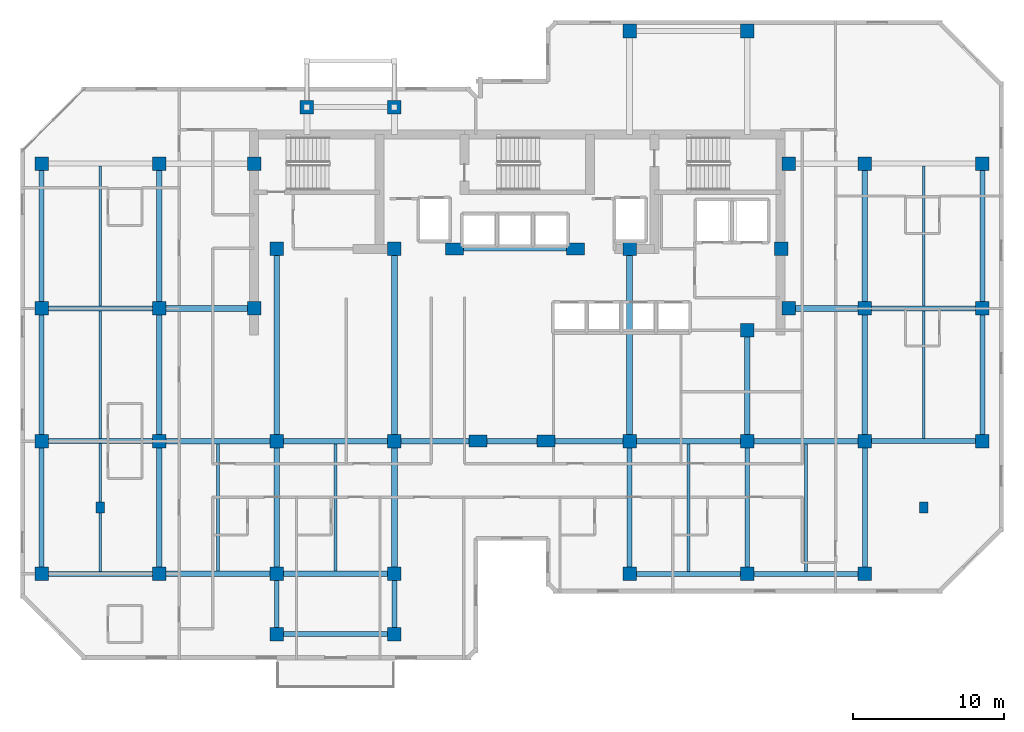
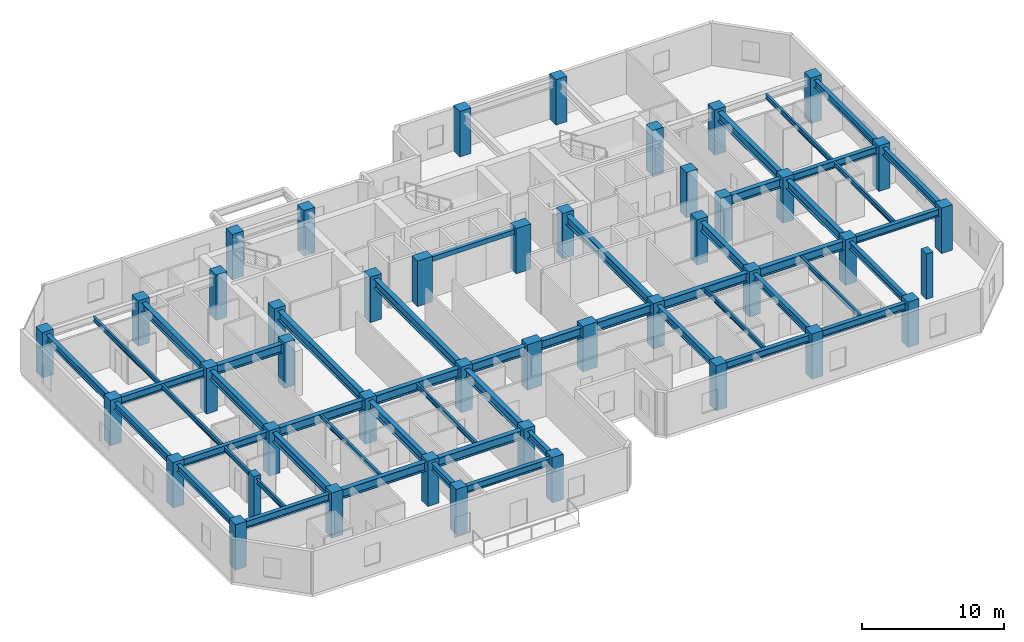
# One storey, part 1 of 11: 50 beams, 44 columns.
"""IFC4 building model written with IfcOpenShell, lengths in metres."""

import ifcopenshell
import ifcopenshell.guid

model = None  # the IFC model being written
_history = None  # IfcOwnerHistory: only IFC2X3 demands one
_inside = {}  # id of a spatial element -> (the spatial element, [elements in it])
_under = {}  # id of a project, library or spatial element -> (it, [spatial elements below it])
_declared = {}  # id of a project -> (the project, [libraries it declares])
_typed = {}  # id of a type object -> (the type object, [elements of that type])
_made_of = {}  # id of a material, layer set ... -> (it, [elements and type objects made of it])


def new_model(schema):
    """Start an empty IFC model of exactly this schema.

    Asked for "IFC4X3", IfcOpenShell would pick the latest addendum, in which some entities
    have other attributes; the version numbers below select the first issue.
    IFC2X3 requires an IfcOwnerHistory on every rooted entity: one is made here for all.
    """
    global model, _history
    if schema == "IFC4X3":
        model = ifcopenshell.file(schema_version=(4, 3, 0, 0))
    else:
        model = ifcopenshell.file(schema=schema)
    _inside.clear()
    _under.clear()
    _declared.clear()
    _typed.clear()
    _made_of.clear()
    _history = None
    if model.schema == "IFC2X3":
        org = make("IfcOrganization", Name="unknown")
        user = make(
            "IfcPersonAndOrganization",
            ThePerson=make("IfcPerson", FamilyName="unknown"),
            TheOrganization=org,
        )
        app = make(
            "IfcApplication",
            ApplicationDeveloper=org,
            Version="unknown",
            ApplicationFullName="unknown",
            ApplicationIdentifier="unknown",
        )
        _history = make(
            "IfcOwnerHistory",
            OwningUser=user,
            OwningApplication=app,
            ChangeAction="ADDED",
            CreationDate=0,
        )
    return model


def make(cls, **values):
    """One entity of the class cls with the attributes given. An attribute that is None is left unset."""
    return model.create_entity(
        cls, **{name: value for name, value in values.items() if value is not None}
    )


def rooted(cls, **values):
    """An entity with a GlobalId (a new one), such as an element, a storey or a relation."""
    return make(cls, GlobalId=ifcopenshell.guid.new(), OwnerHistory=_history, **values)


def si_unit(unit_type, name, prefix=None):
    """IfcSIUnit, for example si_unit("LENGTHUNIT", "METRE", prefix="MILLI")."""
    return make("IfcSIUnit", UnitType=unit_type, Prefix=prefix, Name=name)


def assignment(units):
    """IfcUnitAssignment: the units of a project."""
    return None if units is None else make("IfcUnitAssignment", Units=units)


def point(xyz):
    """IfcCartesianPoint."""
    return None if xyz is None else make("IfcCartesianPoint", Coordinates=xyz)


def direction(xyz):
    """IfcDirection."""
    return None if xyz is None else make("IfcDirection", DirectionRatios=xyz)


def frame(location, z_axis=None, x_axis=None):
    """IfcAxis2Placement3D, a coordinate frame: its origin and axes. An axis left out is left unset."""
    return make(
        "IfcAxis2Placement3D",
        Location=point(location),
        Axis=direction(z_axis),
        RefDirection=direction(x_axis),
    )


def frame_2d(location, x_axis=None):
    """IfcAxis2Placement2D, a coordinate frame in the plane: its origin and x axis."""
    return make(
        "IfcAxis2Placement2D", Location=point(location), RefDirection=direction(x_axis)
    )


def origin():
    """The frame at (0, 0, 0) with its axes left unset."""
    return frame((0.0, 0.0, 0.0))


def origin_2d():
    """The frame at (0, 0) in the plane with its x axis left unset."""
    return frame_2d((0.0, 0.0))


def place(relative_to, where):
    """IfcLocalPlacement: puts the frame where relative to a parent placement (None: the world)."""
    return make(
        "IfcLocalPlacement", PlacementRelTo=relative_to, RelativePlacement=where
    )


def context(
    kind, dimensions, precision=None, world=None, true_north=None, identifier=None
):
    """IfcGeometricRepresentationContext, for example the 3D "Model" context."""
    return make(
        "IfcGeometricRepresentationContext",
        ContextIdentifier=identifier,
        ContextType=kind,
        CoordinateSpaceDimension=dimensions,
        Precision=precision,
        WorldCoordinateSystem=world,
        TrueNorth=true_north,
    )


def subcontext(parent, identifier, kind, view, scale=None):
    """IfcGeometricRepresentationSubContext, for example "Body" below "Model"."""
    return make(
        "IfcGeometricRepresentationSubContext",
        ContextIdentifier=identifier,
        ContextType=kind,
        ParentContext=parent,
        TargetScale=scale,
        TargetView=view,
    )


def project(units=None, contexts=None):
    """IfcProject with its units and contexts."""
    return rooted(
        "IfcProject",
        Name="project",
        RepresentationContexts=contexts,
        UnitsInContext=assignment(units),
    )


def spatial(cls, under=None, at=None, **own):
    """A site, building, storey or space (cls), placed at a placement, below another one or the project."""
    s = rooted(cls, ObjectPlacement=at, **own)
    if under is not None:
        _under.setdefault(under.id(), (under, []))[1].append(s)
    return s


def profile(cls, at=None, kind="AREA", **sizes):
    """A parametric profile (cls). Its sizes go by their IFC names, for example OverallWidth=200.0."""
    return make(cls, ProfileType=kind, Position=at, **sizes)


def rectangle(**sizes):
    """IfcRectangleProfileDef."""
    return profile("IfcRectangleProfileDef", **sizes)


def i_section(**sizes):
    """IfcIShapeProfileDef."""
    return profile("IfcIShapeProfileDef", **sizes)


def extrude(swept, where, along, depth):
    """IfcExtrudedAreaSolid: the profile swept, set in the frame where, extruded along a direction by depth."""
    return make(
        "IfcExtrudedAreaSolid",
        SweptArea=swept,
        Position=where,
        ExtrudedDirection=direction(along),
        Depth=depth,
    )


def shape(context_of_items, identifier, shape_type, items):
    """IfcShapeRepresentation: the items that make up one representation, for example the "Body"."""
    return make(
        "IfcShapeRepresentation",
        ContextOfItems=context_of_items,
        RepresentationIdentifier=identifier,
        RepresentationType=shape_type,
        Items=items,
    )


def material(Name=None, Category=None):
    """IfcMaterial."""
    return make("IfcMaterial", Name=Name, Category=Category)


def material_profile(
    of_material, cross_section, Name=None, Category=None, Priority=None
):
    """IfcMaterialProfile: a cross section and its material."""
    return make(
        "IfcMaterialProfile",
        Name=Name,
        Material=of_material,
        Profile=cross_section,
        Priority=Priority,
        Category=Category,
    )


def profile_set(profiles, Name=None, composite=None):
    """IfcMaterialProfileSet."""
    return make(
        "IfcMaterialProfileSet",
        Name=Name,
        MaterialProfiles=profiles,
        CompositeProfile=composite,
    )


def made_of(thing, what):
    """Note that an element or type object is made of a material, layer set ...; save() writes the relation."""
    if what is not None:
        _made_of.setdefault(what.id(), (what, []))[1].append(thing)
    return thing


def type_object(cls, material=None, **own):
    """A type object (cls), such as IfcWallType, which elements share."""
    return made_of(rooted(cls, **own), material)


def element(
    cls,
    number,
    at=None,
    inside=None,
    cuts=None,
    type_object=None,
    material=None,
    context=None,
    identifier="Body",
    shape_type=None,
    held_by="IfcProductDefinitionShape",
    body=None,
    shapes=None,
    **own,
):
    """One element of the class cls, such as IfcWall. Its Tag is "e" and its number.

    at: its placement. inside: the storey or other place that contains it. cuts: it is an
    opening in that element (IfcRelVoidsElement). A single representation is given by context,
    identifier, shape_type and body (its items); several are given by shapes. held_by: the class
    of the entity that holds the representations. save() writes the other relations.
    """
    e = rooted(cls, Tag="e%d" % number, ObjectPlacement=at, **own)
    if body is not None:
        shapes = [shape(context, identifier, shape_type, body)]
    if shapes is not None:
        e.Representation = make(held_by, Representations=shapes)
    if inside is not None:
        _inside.setdefault(inside.id(), (inside, []))[1].append(e)
    if cuts is not None:
        rooted(
            "IfcRelVoidsElement", RelatingBuildingElement=cuts, RelatedOpeningElement=e
        )
    if type_object is not None:
        _typed.setdefault(type_object.id(), (type_object, []))[1].append(e)
    return made_of(e, material)


def aggregate(whole, parts):
    """IfcRelAggregates: a whole, such as a stair, and the parts it consists of."""
    return rooted("IfcRelAggregates", RelatingObject=whole, RelatedObjects=parts)


def save(model, path):
    """Write the relations noted so far, then the file.

    IfcRelAggregates (storeys below a building ...), IfcRelContainedInSpatialStructure (elements
    in a storey), IfcRelDefinesByType, IfcRelAssociatesMaterial and IfcRelDeclares: one each for
    every whole, place, type object, material and project.
    """
    for whole, parts in _under.values():
        aggregate(whole, parts)
    for where, things in _inside.values():
        rooted(
            "IfcRelContainedInSpatialStructure",
            RelatedElements=things,
            RelatingStructure=where,
        )
    for kind, things in _typed.values():
        rooted("IfcRelDefinesByType", RelatedObjects=things, RelatingType=kind)
    for what, things in _made_of.values():
        rooted("IfcRelAssociatesMaterial", RelatedObjects=things, RelatingMaterial=what)
    for by, libraries in _declared.values():
        rooted("IfcRelDeclares", RelatingContext=by, RelatedDefinitions=libraries)
    model.write(path)


model = new_model("IFC4")

# Units and contexts
model_context = context("Model", 3, precision=1e-05, world=origin(), true_north=direction((0.0, 1.0)))
body_context = subcontext(model_context, "Body", "Model", "MODEL_VIEW")
ifc_project = project(units=[si_unit("LENGTHUNIT", "METRE"), si_unit("AREAUNIT", "SQUARE_METRE"), si_unit("VOLUMEUNIT", "CUBIC_METRE"), si_unit("PLANEANGLEUNIT", "RADIAN"), si_unit("MASSUNIT", "GRAM", prefix="KILO")], contexts=[model_context])

# Site, building, storey
site_placement = place(None, origin())
site = spatial("IfcSite", under=ifc_project, at=site_placement, CompositionType="ELEMENT")
building_placement = place(site_placement, origin())
building = spatial("IfcBuilding", under=site, at=building_placement, Name="Kestravale Grand Hotel", CompositionType="ELEMENT")
storey_placement = place(building_placement, frame((0.0, 0.0, 208.5)))
storey = spatial("IfcBuildingStorey", under=building, at=storey_placement, Name="L52", CompositionType="ELEMENT", Elevation=208.5)

# Columns
ifc_material_1 = material(Name="Concrete f'c 60 MPa", Category="concrete")
ifc_material_profile_1 = material_profile(ifc_material_1, rectangle(XDim=1.199951171875, YDim=0.800048828125, at=origin_2d()))
ifc_profile_set_1 = profile_set([ifc_material_profile_1], Name="Concrete f'c 60 MPa")
column_type_1 = type_object("IfcColumnType", Name="C-Z3-1200X800", PredefinedType="COLUMN", material=ifc_profile_set_1)
for number, where, z_axis, x_axis, name in (
    (1, (36.75, 20.0, 0.0), (0.0, 0.0, 1.0), (1.0, 0.0, 0.0), "L52 column 6-D"),
    (2, (41.25, 20.0, 0.0), (0.0, 0.0, 1.0), (1.0, 0.0, 0.0), "L52 column 7-D"),
    (3, (35.199951171875, 32.75, 0.0), (0.0, 0.0, 1.0), (1.0, 0.0, 0.0), "L52 column 6C-CS"),
    (4, (43.199951171875, 32.75, 0.0), (0.0, 0.0, 1.0), (1.0, 0.0, 0.0), "L52 column 7C-CS"),
):
    element("IfcColumn", number, at=place(storey_placement, frame(where, z_axis=z_axis, x_axis=x_axis)), inside=storey, type_object=column_type_1, Name=name, PredefinedType="COLUMN", context=body_context, shape_type="SweptSolid", body=[
        extrude(rectangle(XDim=1.199951171875, YDim=0.800048828125, at=origin_2d()), origin(), (0.0, 0.0, 1.0), 3.89990234375),
    ])
ifc_material_2 = material(Name="Precast concrete f'c 45 MPa", Category="concrete")
ifc_material_profile_2 = material_profile(ifc_material_2, rectangle(XDim=0.550048828125, YDim=0.75, at=origin_2d()))
ifc_profile_set_2 = profile_set([ifc_material_profile_2], Name="Precast concrete f'c 45 MPa")
column_type_2 = type_object("IfcColumnType", Name="C-Z3-PIL750", PredefinedType="PILASTER", material=ifc_profile_set_2)
for number, where, z_axis, x_axis, name in (
    (5, (11.699951171875, 15.60009765625, 0.0), (0.0, 0.0, 1.0), (1.0, 0.0, 0.0), "L52 Art Deco fluted pilaster P1"),
    (6, (66.300048828125, 15.60009765625, 0.0), (0.0, 0.0, 1.0), (1.0, 0.0, 0.0), "L52 Art Deco fluted pilaster P2"),
):
    element("IfcColumn", number, at=place(storey_placement, frame(where, z_axis=z_axis, x_axis=x_axis)), inside=storey, type_object=column_type_2, Name=name, PredefinedType="PILASTER", context=body_context, shape_type="SweptSolid", body=[
        extrude(rectangle(XDim=0.550048828125, YDim=0.75, at=origin_2d()), origin(), (0.0, 0.0, 1.0), 3.89990234375),
    ])
ifc_material_3 = material(Name="Concrete f'c 50 MPa", Category="concrete")
ifc_material_profile_3 = material_profile(ifc_material_3, rectangle(XDim=0.89990234375, YDim=0.89990234375, at=origin_2d()))
ifc_profile_set_3 = profile_set([ifc_material_profile_3], Name="Concrete f'c 50 MPa")
column_type_3 = type_object("IfcColumnType", Name="C-Z4-900", PredefinedType="COLUMN", material=ifc_profile_set_3)
for number, where, z_axis, x_axis, name in (
    (7, (7.800048828125, 11.199951171875, 0.0), (0.0, 0.0, 1.0), (1.0, 0.0, 0.0), "L52 column 2-C"),
    (8, (7.800048828125, 20.0, 0.0), (0.0, 0.0, 1.0), (1.0, 0.0, 0.0), "L52 column 2-D"),
    (9, (7.800048828125, 28.800048828125, 0.0), (0.0, 0.0, 1.0), (1.0, 0.0, 0.0), "L52 column 2-E"),
    (10, (7.800048828125, 38.39990234375, 0.0), (0.0, 0.0, 1.0), (1.0, 0.0, 0.0), "L52 column 2-F"),
    (11, (15.60009765625, 11.199951171875, 0.0), (0.0, 0.0, 1.0), (1.0, 0.0, 0.0), "L52 column 3-C"),
    (12, (15.60009765625, 20.0, 0.0), (0.0, 0.0, 1.0), (1.0, 0.0, 0.0), "L52 column 3-D"),
    (13, (15.60009765625, 28.800048828125, 0.0), (0.0, 0.0, 1.0), (1.0, 0.0, 0.0), "L52 column 3-E"),
    (14, (15.60009765625, 38.39990234375, 0.0), (0.0, 0.0, 1.0), (1.0, 0.0, 0.0), "L52 column 3-F"),
    (15, (23.39990234375, 11.199951171875, 0.0), (0.0, 0.0, 1.0), (1.0, 0.0, 0.0), "L52 column 4-C"),
    (16, (23.39990234375, 20.0, 0.0), (0.0, 0.0, 1.0), (1.0, 0.0, 0.0), "L52 column 4-D"),
    (17, (31.199951171875, 11.199951171875, 0.0), (0.0, 0.0, 1.0), (1.0, 0.0, 0.0), "L52 column 5-C"),
    (18, (31.199951171875, 20.0, 0.0), (0.0, 0.0, 1.0), (1.0, 0.0, 0.0), "L52 column 5-D"),
    (19, (46.800048828125, 11.199951171875, 0.0), (0.0, 0.0, 1.0), (1.0, 0.0, 0.0), "L52 column 8-C"),
    (20, (46.800048828125, 20.0, 0.0), (0.0, 0.0, 1.0), (1.0, 0.0, 0.0), "L52 column 8-D"),
    (21, (46.800048828125, 47.199951171875, 0.0), (0.0, 0.0, 1.0), (1.0, 0.0, 0.0), "L52 column 8-G"),
    (22, (54.60009765625, 11.199951171875, 0.0), (0.0, 0.0, 1.0), (1.0, 0.0, 0.0), "L52 column 9-C"),
    (23, (54.60009765625, 20.0, 0.0), (0.0, 0.0, 1.0), (1.0, 0.0, 0.0), "L52 column 9-D"),
    (24, (54.60009765625, 47.199951171875, 0.0), (0.0, 0.0, 1.0), (1.0, 0.0, 0.0), "L52 column 9-G"),
    (25, (62.39990234375, 11.199951171875, 0.0), (0.0, 0.0, 1.0), (1.0, 0.0, 0.0), "L52 column 10-C"),
    (26, (62.39990234375, 20.0, 0.0), (0.0, 0.0, 1.0), (1.0, 0.0, 0.0), "L52 column 10-D"),
    (27, (62.39990234375, 28.800048828125, 0.0), (0.0, 0.0, 1.0), (1.0, 0.0, 0.0), "L52 column 10-E"),
    (28, (62.39990234375, 38.39990234375, 0.0), (0.0, 0.0, 1.0), (1.0, 0.0, 0.0), "L52 column 10-F"),
    (29, (70.199951171875, 20.0, 0.0), (0.0, 0.0, 1.0), (1.0, 0.0, 0.0), "L52 column 11-D"),
    (30, (70.199951171875, 28.800048828125, 0.0), (0.0, 0.0, 1.0), (1.0, 0.0, 0.0), "L52 column 11-E"),
    (31, (70.199951171875, 38.39990234375, 0.0), (0.0, 0.0, 1.0), (1.0, 0.0, 0.0), "L52 column 11-F"),
    (32, (21.89990234375, 28.800048828125, 0.0), (0.0, 0.0, 1.0), (1.0, 0.0, 0.0), "L52 column CW-E"),
    (33, (21.89990234375, 38.39990234375, 0.0), (0.0, 0.0, 1.0), (1.0, 0.0, 0.0), "L52 column CW-F"),
    (34, (57.35009765625, 28.800048828125, 0.0), (0.0, 0.0, 1.0), (1.0, 0.0, 0.0), "L52 column CE-E"),
    (35, (57.35009765625, 38.39990234375, 0.0), (0.0, 0.0, 1.0), (1.0, 0.0, 0.0), "L52 column CE-F"),
    (36, (23.39990234375, 32.75, 0.0), (0.0, 0.0, 1.0), (1.0, 0.0, 0.0), "L52 column 4-CS"),
    (37, (31.199951171875, 32.75, 0.0), (0.0, 0.0, 1.0), (1.0, 0.0, 0.0), "L52 column 5-CS"),
    (38, (46.800048828125, 32.75, 0.0), (0.0, 0.0, 1.0), (1.0, 0.0, 0.0), "L52 column 8-CS"),
    (39, (54.60009765625, 27.35009765625, 0.0), (0.0, 0.0, 1.0), (1.0, 0.0, 0.0), "L52 column 9-CS"),
    (40, (56.85009765625, 32.75, 0.0), (0.0, 0.0, 1.0), (1.0, 0.0, 0.0), "L52 column 9C-CS"),
    (41, (23.39990234375, 7.199951171875, 0.0), (0.0, 0.0, 1.0), (1.0, 0.0, 0.0), "L52 column 4-BS"),
    (42, (31.199951171875, 7.199951171875, 0.0), (0.0, 0.0, 1.0), (1.0, 0.0, 0.0), "L52 column 5-BS"),
    (43, (25.39990234375, 42.14990234375, 0.0), (0.0, 0.0, 1.0), (1.0, 0.0, 0.0), "L52 column 4-FN"),
    (44, (31.199951171875, 42.14990234375, 0.0), (0.0, 0.0, 1.0), (1.0, 0.0, 0.0), "L52 column 5-FN"),
):
    element("IfcColumn", number, at=place(storey_placement, frame(where, z_axis=z_axis, x_axis=x_axis)), inside=storey, type_object=column_type_3, Name=name, PredefinedType="COLUMN", context=body_context, shape_type="SweptSolid", body=[
        extrude(rectangle(XDim=0.89990234375, YDim=0.89990234375, at=origin_2d()), origin(), (0.0, 0.0, 1.0), 3.89990234375),
    ])

# Beams
ifc_material_4 = material(Name="Steel ASTM A992 Grade 50", Category="steel")
ifc_material_profile_4 = material_profile(ifc_material_4, i_section(OverallWidth=0.177978515625, OverallDepth=0.404052734375, WebThickness=0.007568359375, FlangeThickness=0.010986328125, FilletRadius=0.01416015625, at=origin_2d()))
ifc_profile_set_4 = profile_set([ifc_material_profile_4], Name="Steel ASTM A992 Grade 50")
beam_type_1 = type_object("IfcBeamType", Name="B-FLR-JST16", PredefinedType="JOIST", material=ifc_profile_set_4)
for number, where, z_axis, x_axis, name in (
    (45, (11.699951171875, 11.362548828125, 3.447998046875), (0.0, 1.0, 0.0), (-1.0, 0.0, 0.0), "L52 floor joist 2-3/C-D #1"),
    (46, (11.699951171875, 20.16259765625, 3.447998046875), (0.0, 1.0, 0.0), (-1.0, 0.0, 0.0), "L52 floor joist 2-3/D-E #1"),
):
    element("IfcBeam", number, at=place(storey_placement, frame(where, z_axis=z_axis, x_axis=x_axis)), inside=storey, type_object=beam_type_1, Name=name, PredefinedType="JOIST", context=body_context, shape_type="SweptSolid", body=[
        extrude(i_section(OverallWidth=0.177978515625, OverallDepth=0.404052734375, WebThickness=0.007568359375, FlangeThickness=0.010986328125, FilletRadius=0.01416015625, at=origin_2d()), origin(), (0.0, 0.0, 1.0), 8.474853515625),
    ])
beam_1_placement = place(storey_placement, frame((11.699951171875, 28.96240234375, 3.447998046875), z_axis=(0.0, 1.0, 0.0), x_axis=(-1.0, 0.0, 0.0)))
element("IfcBeam", 47, at=beam_1_placement, inside=storey, type_object=beam_type_1, Name="L52 floor joist 2-3/E-F #1", PredefinedType="JOIST", context=body_context, shape_type="SweptSolid", body=[
    extrude(i_section(OverallWidth=0.177978515625, OverallDepth=0.404052734375, WebThickness=0.007568359375, FlangeThickness=0.010986328125, FilletRadius=0.01416015625, at=origin_2d()), origin(), (0.0, 0.0, 1.0), 9.275146484375),
])
for number, where, z_axis, x_axis, name in (
    (48, (19.5, 11.390380859375, 3.447998046875), (0.0, 1.0, 0.0), (-1.0, 0.0, 0.0), "L52 floor joist 3-4/C-D #1"),
    (49, (27.300048828125, 11.390380859375, 3.447998046875), (0.0, 1.0, 0.0), (-1.0, 0.0, 0.0), "L52 floor joist 4-5/C-D #1"),
):
    element("IfcBeam", number, at=place(storey_placement, frame(where, z_axis=z_axis, x_axis=x_axis)), inside=storey, type_object=beam_type_1, Name=name, PredefinedType="JOIST", context=body_context, shape_type="SweptSolid", body=[
        extrude(i_section(OverallWidth=0.177978515625, OverallDepth=0.404052734375, WebThickness=0.007568359375, FlangeThickness=0.010986328125, FilletRadius=0.01416015625, at=origin_2d()), origin(), (0.0, 0.0, 1.0), 8.419189453125),
    ])
for number, where, z_axis, x_axis, name in (
    (50, (50.699951171875, 11.362548828125, 3.447998046875), (0.0, 1.0, 0.0), (-1.0, 0.0, 0.0), "L52 floor joist 8-9/C-D #1"),
    (51, (58.5, 11.362548828125, 3.447998046875), (0.0, 1.0, 0.0), (-1.0, 0.0, 0.0), "L52 floor joist 9-10/C-D #1"),
):
    element("IfcBeam", number, at=place(storey_placement, frame(where, z_axis=z_axis, x_axis=x_axis)), inside=storey, type_object=beam_type_1, Name=name, PredefinedType="JOIST", context=body_context, shape_type="SweptSolid", body=[
        extrude(i_section(OverallWidth=0.177978515625, OverallDepth=0.404052734375, WebThickness=0.007568359375, FlangeThickness=0.010986328125, FilletRadius=0.01416015625, at=origin_2d()), origin(), (0.0, 0.0, 1.0), 8.447021484375),
    ])
beam_2_placement = place(storey_placement, frame((66.300048828125, 20.16259765625, 3.447998046875), z_axis=(0.0, 1.0, 0.0), x_axis=(-1.0, 0.0, 0.0)))
element("IfcBeam", 52, at=beam_2_placement, inside=storey, type_object=beam_type_1, Name="L52 floor joist 10-11/D-E #1", PredefinedType="JOIST", context=body_context, shape_type="SweptSolid", body=[
    extrude(i_section(OverallWidth=0.177978515625, OverallDepth=0.404052734375, WebThickness=0.007568359375, FlangeThickness=0.010986328125, FilletRadius=0.01416015625, at=origin_2d()), origin(), (0.0, 0.0, 1.0), 8.474853515625),
])
beam_3_placement = place(storey_placement, frame((66.300048828125, 28.96240234375, 3.447998046875), z_axis=(0.0, 1.0, 0.0), x_axis=(-1.0, 0.0, 0.0)))
element("IfcBeam", 53, at=beam_3_placement, inside=storey, type_object=beam_type_1, Name="L52 floor joist 10-11/E-F #1", PredefinedType="JOIST", context=body_context, shape_type="SweptSolid", body=[
    extrude(i_section(OverallWidth=0.177978515625, OverallDepth=0.404052734375, WebThickness=0.007568359375, FlangeThickness=0.010986328125, FilletRadius=0.01416015625, at=origin_2d()), origin(), (0.0, 0.0, 1.0), 9.275146484375),
])
ifc_material_5 = material(Name="Concrete f'c 45 MPa", Category="concrete")
ifc_material_profile_5 = material_profile(ifc_material_5, rectangle(XDim=0.300048828125, YDim=0.39990234375, at=origin_2d()))
ifc_profile_set_5 = profile_set([ifc_material_profile_5], Name="Concrete f'c 45 MPa")
beam_type_2 = type_object("IfcBeamType", Name="B-FLR-LNT400", PredefinedType="LINTEL", material=ifc_profile_set_5)
beam_4_placement = place(storey_placement, frame((35.199951171875, 32.75, 3.449951171875), z_axis=(1.0, 0.0, 0.0), x_axis=(0.0, 1.0, 0.0)))
element("IfcBeam", 54, at=beam_4_placement, inside=storey, type_object=beam_type_2, Name="L52 core portal header lintel", PredefinedType="LINTEL", context=body_context, shape_type="SweptSolid", body=[
    extrude(rectangle(XDim=0.300048828125, YDim=0.39990234375, at=origin_2d()), origin(), (0.0, 0.0, 1.0), 8.0),
])
ifc_material_6 = material(Name="Steel ASTM A992 Grade 50", Category="steel")
ifc_material_profile_6 = material_profile(ifc_material_6, i_section(OverallWidth=0.324951171875, OverallDepth=0.612060546875, WebThickness=0.0126953125, FlangeThickness=0.01904296875, FilletRadius=0.018798828125, at=origin_2d()))
ifc_profile_set_6 = profile_set([ifc_material_profile_6], Name="Steel ASTM A992 Grade 50")
beam_type_3 = type_object("IfcBeamType", Name="B-FLR-W24A", PredefinedType="SPANDREL", material=ifc_profile_set_6)
for number, where, z_axis, x_axis, name in (
    (55, (7.800048828125, 11.199951171875, 3.343994140625), (1.0, 0.0, 0.0), (0.0, 1.0, 0.0), "L52 spandrel C:2-3"),
    (56, (46.800048828125, 11.199951171875, 3.343994140625), (1.0, 0.0, 0.0), (0.0, 1.0, 0.0), "L52 spandrel C:8-9"),
):
    element("IfcBeam", number, at=place(storey_placement, frame(where, z_axis=z_axis, x_axis=x_axis)), inside=storey, type_object=beam_type_3, Name=name, PredefinedType="SPANDREL", context=body_context, shape_type="SweptSolid", body=[
        extrude(i_section(OverallWidth=0.324951171875, OverallDepth=0.612060546875, WebThickness=0.0126953125, FlangeThickness=0.01904296875, FilletRadius=0.018798828125, at=origin_2d()), origin(), (0.0, 0.0, 1.0), 7.800048828125),
    ])
beam_5_placement = place(storey_placement, frame((54.60009765625, 11.199951171875, 3.343994140625), z_axis=(1.0, 0.0, 0.0), x_axis=(0.0, 1.0, 0.0)))
element("IfcBeam", 57, at=beam_5_placement, inside=storey, type_object=beam_type_3, Name="L52 spandrel C:9-10", PredefinedType="SPANDREL", context=body_context, shape_type="SweptSolid", body=[
    extrude(i_section(OverallWidth=0.324951171875, OverallDepth=0.612060546875, WebThickness=0.0126953125, FlangeThickness=0.01904296875, FilletRadius=0.018798828125, at=origin_2d()), origin(), (0.0, 0.0, 1.0), 7.7998046875),
])
for number, where, z_axis, x_axis, name in (
    (58, (7.800048828125, 20.0, 3.343994140625), (1.0, 0.0, 0.0), (0.0, 1.0, 0.0), "L52 spandrel D:2-3"),
    (59, (62.39990234375, 20.0, 3.343994140625), (1.0, 0.0, 0.0), (0.0, 1.0, 0.0), "L52 spandrel D:10-11"),
    (60, (7.800048828125, 28.800048828125, 3.343994140625), (1.0, 0.0, 0.0), (0.0, 1.0, 0.0), "L52 spandrel E:2-3"),
    (61, (62.39990234375, 28.800048828125, 3.343994140625), (1.0, 0.0, 0.0), (0.0, 1.0, 0.0), "L52 spandrel E:10-11"),
    (62, (23.39990234375, 7.199951171875, 3.343994140625), (1.0, 0.0, 0.0), (0.0, 1.0, 0.0), "L52 perimeter tie spandrel BS:4-5"),
):
    element("IfcBeam", number, at=place(storey_placement, frame(where, z_axis=z_axis, x_axis=x_axis)), inside=storey, type_object=beam_type_3, Name=name, PredefinedType="SPANDREL", context=body_context, shape_type="SweptSolid", body=[
        extrude(i_section(OverallWidth=0.324951171875, OverallDepth=0.612060546875, WebThickness=0.0126953125, FlangeThickness=0.01904296875, FilletRadius=0.018798828125, at=origin_2d()), origin(), (0.0, 0.0, 1.0), 7.800048828125),
    ])
for number, where, z_axis, x_axis, name in (
    (63, (7.800048828125, 11.199951171875, 3.343994140625), (0.0, 1.0, 0.0), (-1.0, 0.0, 0.0), "L52 spandrel 2:C-D"),
    (64, (7.800048828125, 20.0, 3.343994140625), (0.0, 1.0, 0.0), (-1.0, 0.0, 0.0), "L52 spandrel 2:D-E"),
):
    element("IfcBeam", number, at=place(storey_placement, frame(where, z_axis=z_axis, x_axis=x_axis)), inside=storey, type_object=beam_type_3, Name=name, PredefinedType="SPANDREL", context=body_context, shape_type="SweptSolid", body=[
        extrude(i_section(OverallWidth=0.324951171875, OverallDepth=0.612060546875, WebThickness=0.0126953125, FlangeThickness=0.01904296875, FilletRadius=0.018798828125, at=origin_2d()), origin(), (0.0, 0.0, 1.0), 8.800048828125),
    ])
beam_6_placement = place(storey_placement, frame((7.800048828125, 28.800048828125, 3.343994140625), z_axis=(0.0, 1.0, 0.0), x_axis=(-1.0, 0.0, 0.0)))
element("IfcBeam", 65, at=beam_6_placement, inside=storey, type_object=beam_type_3, Name="L52 spandrel 2:E-F", PredefinedType="SPANDREL", context=body_context, shape_type="SweptSolid", body=[
    extrude(i_section(OverallWidth=0.324951171875, OverallDepth=0.612060546875, WebThickness=0.0126953125, FlangeThickness=0.01904296875, FilletRadius=0.018798828125, at=origin_2d()), origin(), (0.0, 0.0, 1.0), 9.599853515625),
])
for number, where, z_axis, x_axis, name in (
    (66, (23.39990234375, 7.199951171875, 3.343994140625), (0.0, 1.0, 0.0), (-1.0, 0.0, 0.0), "L52 spandrel 4:BS-C"),
    (67, (31.199951171875, 7.199951171875, 3.343994140625), (0.0, 1.0, 0.0), (-1.0, 0.0, 0.0), "L52 spandrel 5:BS-C"),
):
    element("IfcBeam", number, at=place(storey_placement, frame(where, z_axis=z_axis, x_axis=x_axis)), inside=storey, type_object=beam_type_3, Name=name, PredefinedType="SPANDREL", context=body_context, shape_type="SweptSolid", body=[
        extrude(i_section(OverallWidth=0.324951171875, OverallDepth=0.612060546875, WebThickness=0.0126953125, FlangeThickness=0.01904296875, FilletRadius=0.018798828125, at=origin_2d()), origin(), (0.0, 0.0, 1.0), 4.0),
    ])
for number, where, z_axis, x_axis, name in (
    (68, (46.800048828125, 11.199951171875, 3.343994140625), (0.0, 1.0, 0.0), (-1.0, 0.0, 0.0), "L52 spandrel 8:C-D"),
    (69, (54.60009765625, 11.199951171875, 3.343994140625), (0.0, 1.0, 0.0), (-1.0, 0.0, 0.0), "L52 spandrel 9:C-D"),
    (70, (62.39990234375, 11.199951171875, 3.343994140625), (0.0, 1.0, 0.0), (-1.0, 0.0, 0.0), "L52 spandrel 10:C-D"),
    (71, (70.199951171875, 20.0, 3.343994140625), (0.0, 1.0, 0.0), (-1.0, 0.0, 0.0), "L52 spandrel 11:D-E"),
):
    element("IfcBeam", number, at=place(storey_placement, frame(where, z_axis=z_axis, x_axis=x_axis)), inside=storey, type_object=beam_type_3, Name=name, PredefinedType="SPANDREL", context=body_context, shape_type="SweptSolid", body=[
        extrude(i_section(OverallWidth=0.324951171875, OverallDepth=0.612060546875, WebThickness=0.0126953125, FlangeThickness=0.01904296875, FilletRadius=0.018798828125, at=origin_2d()), origin(), (0.0, 0.0, 1.0), 8.800048828125),
    ])
beam_7_placement = place(storey_placement, frame((70.199951171875, 28.800048828125, 3.343994140625), z_axis=(0.0, 1.0, 0.0), x_axis=(-1.0, 0.0, 0.0)))
element("IfcBeam", 72, at=beam_7_placement, inside=storey, type_object=beam_type_3, Name="L52 spandrel 11:E-F", PredefinedType="SPANDREL", context=body_context, shape_type="SweptSolid", body=[
    extrude(i_section(OverallWidth=0.324951171875, OverallDepth=0.612060546875, WebThickness=0.0126953125, FlangeThickness=0.01904296875, FilletRadius=0.018798828125, at=origin_2d()), origin(), (0.0, 0.0, 1.0), 9.599853515625),
])
ifc_material_7 = material(Name="Steel ASTM A992 Grade 50", Category="steel")
ifc_material_profile_7 = material_profile(ifc_material_7, i_section(OverallWidth=0.381103515625, OverallDepth=0.77197265625, WebThickness=0.0166015625, FlangeThickness=0.027099609375, FilletRadius=0.023681640625, at=origin_2d()))
ifc_profile_set_7 = profile_set([ifc_material_profile_7], Name="Steel ASTM A992 Grade 50")
beam_type_4 = type_object("IfcBeamType", Name="B-GRD-W30", PredefinedType="BEAM", material=ifc_profile_set_7)
beam_8_placement = place(storey_placement, frame((15.60009765625, 11.199951171875, 3.263916015625), z_axis=(1.0, 0.0, 0.0), x_axis=(0.0, 1.0, 0.0)))
element("IfcBeam", 73, at=beam_8_placement, inside=storey, type_object=beam_type_4, Name="L52 girder C:3-4", PredefinedType="BEAM", context=body_context, shape_type="SweptSolid", body=[
    extrude(i_section(OverallWidth=0.381103515625, OverallDepth=0.77197265625, WebThickness=0.0166015625, FlangeThickness=0.027099609375, FilletRadius=0.023681640625, at=origin_2d()), origin(), (0.0, 0.0, 1.0), 7.7998046875),
])
beam_9_placement = place(storey_placement, frame((23.39990234375, 11.199951171875, 3.263916015625), z_axis=(1.0, 0.0, 0.0), x_axis=(0.0, 1.0, 0.0)))
element("IfcBeam", 74, at=beam_9_placement, inside=storey, type_object=beam_type_4, Name="L52 girder C:4-5", PredefinedType="BEAM", context=body_context, shape_type="SweptSolid", body=[
    extrude(i_section(OverallWidth=0.381103515625, OverallDepth=0.77197265625, WebThickness=0.0166015625, FlangeThickness=0.027099609375, FilletRadius=0.023681640625, at=origin_2d()), origin(), (0.0, 0.0, 1.0), 7.800048828125),
])
beam_10_placement = place(storey_placement, frame((15.60009765625, 20.0, 3.263916015625), z_axis=(1.0, 0.0, 0.0), x_axis=(0.0, 1.0, 0.0)))
element("IfcBeam", 75, at=beam_10_placement, inside=storey, type_object=beam_type_4, Name="L52 girder D:3-4", PredefinedType="BEAM", context=body_context, shape_type="SweptSolid", body=[
    extrude(i_section(OverallWidth=0.381103515625, OverallDepth=0.77197265625, WebThickness=0.0166015625, FlangeThickness=0.027099609375, FilletRadius=0.023681640625, at=origin_2d()), origin(), (0.0, 0.0, 1.0), 7.7998046875),
])
beam_11_placement = place(storey_placement, frame((23.39990234375, 20.0, 3.263916015625), z_axis=(1.0, 0.0, 0.0), x_axis=(0.0, 1.0, 0.0)))
element("IfcBeam", 76, at=beam_11_placement, inside=storey, type_object=beam_type_4, Name="L52 girder D:4-5", PredefinedType="BEAM", context=body_context, shape_type="SweptSolid", body=[
    extrude(i_section(OverallWidth=0.381103515625, OverallDepth=0.77197265625, WebThickness=0.0166015625, FlangeThickness=0.027099609375, FilletRadius=0.023681640625, at=origin_2d()), origin(), (0.0, 0.0, 1.0), 7.800048828125),
])
beam_12_placement = place(storey_placement, frame((31.199951171875, 20.0, 3.263916015625), z_axis=(1.0, 0.0, 0.0), x_axis=(0.0, 1.0, 0.0)))
element("IfcBeam", 77, at=beam_12_placement, inside=storey, type_object=beam_type_4, Name="L52 girder D:5-6", PredefinedType="BEAM", context=body_context, shape_type="SweptSolid", body=[
    extrude(i_section(OverallWidth=0.381103515625, OverallDepth=0.77197265625, WebThickness=0.0166015625, FlangeThickness=0.027099609375, FilletRadius=0.023681640625, at=origin_2d()), origin(), (0.0, 0.0, 1.0), 5.550048828125),
])
beam_13_placement = place(storey_placement, frame((36.75, 20.0, 3.263916015625), z_axis=(1.0, 0.0, 0.0), x_axis=(0.0, 1.0, 0.0)))
element("IfcBeam", 78, at=beam_13_placement, inside=storey, type_object=beam_type_4, Name="L52 girder D:6-7", PredefinedType="BEAM", context=body_context, shape_type="SweptSolid", body=[
    extrude(i_section(OverallWidth=0.381103515625, OverallDepth=0.77197265625, WebThickness=0.0166015625, FlangeThickness=0.027099609375, FilletRadius=0.023681640625, at=origin_2d()), origin(), (0.0, 0.0, 1.0), 4.5),
])
beam_14_placement = place(storey_placement, frame((41.25, 20.0, 3.263916015625), z_axis=(1.0, 0.0, 0.0), x_axis=(0.0, 1.0, 0.0)))
element("IfcBeam", 79, at=beam_14_placement, inside=storey, type_object=beam_type_4, Name="L52 girder D:7-8", PredefinedType="BEAM", context=body_context, shape_type="SweptSolid", body=[
    extrude(i_section(OverallWidth=0.381103515625, OverallDepth=0.77197265625, WebThickness=0.0166015625, FlangeThickness=0.027099609375, FilletRadius=0.023681640625, at=origin_2d()), origin(), (0.0, 0.0, 1.0), 5.550048828125),
])
beam_15_placement = place(storey_placement, frame((46.800048828125, 20.0, 3.263916015625), z_axis=(1.0, 0.0, 0.0), x_axis=(0.0, 1.0, 0.0)))
element("IfcBeam", 80, at=beam_15_placement, inside=storey, type_object=beam_type_4, Name="L52 girder D:8-9", PredefinedType="BEAM", context=body_context, shape_type="SweptSolid", body=[
    extrude(i_section(OverallWidth=0.381103515625, OverallDepth=0.77197265625, WebThickness=0.0166015625, FlangeThickness=0.027099609375, FilletRadius=0.023681640625, at=origin_2d()), origin(), (0.0, 0.0, 1.0), 7.800048828125),
])
beam_16_placement = place(storey_placement, frame((54.60009765625, 20.0, 3.263916015625), z_axis=(1.0, 0.0, 0.0), x_axis=(0.0, 1.0, 0.0)))
element("IfcBeam", 81, at=beam_16_placement, inside=storey, type_object=beam_type_4, Name="L52 girder D:9-10", PredefinedType="BEAM", context=body_context, shape_type="SweptSolid", body=[
    extrude(i_section(OverallWidth=0.381103515625, OverallDepth=0.77197265625, WebThickness=0.0166015625, FlangeThickness=0.027099609375, FilletRadius=0.023681640625, at=origin_2d()), origin(), (0.0, 0.0, 1.0), 7.7998046875),
])
beam_17_placement = place(storey_placement, frame((15.60009765625, 28.800048828125, 3.263916015625), z_axis=(1.0, 0.0, 0.0), x_axis=(0.0, 1.0, 0.0)))
element("IfcBeam", 82, at=beam_17_placement, inside=storey, type_object=beam_type_4, Name="L52 girder E:3-CW", PredefinedType="BEAM", context=body_context, shape_type="SweptSolid", body=[
    extrude(i_section(OverallWidth=0.381103515625, OverallDepth=0.77197265625, WebThickness=0.0166015625, FlangeThickness=0.027099609375, FilletRadius=0.023681640625, at=origin_2d()), origin(), (0.0, 0.0, 1.0), 6.2998046875),
])
beam_18_placement = place(storey_placement, frame((57.35009765625, 28.800048828125, 3.263916015625), z_axis=(1.0, 0.0, 0.0), x_axis=(0.0, 1.0, 0.0)))
element("IfcBeam", 83, at=beam_18_placement, inside=storey, type_object=beam_type_4, Name="L52 girder E:CE-10", PredefinedType="BEAM", context=body_context, shape_type="SweptSolid", body=[
    extrude(i_section(OverallWidth=0.381103515625, OverallDepth=0.77197265625, WebThickness=0.0166015625, FlangeThickness=0.027099609375, FilletRadius=0.023681640625, at=origin_2d()), origin(), (0.0, 0.0, 1.0), 5.0498046875),
])
for number, where, z_axis, x_axis, name in (
    (84, (15.60009765625, 11.199951171875, 3.263916015625), (0.0, 1.0, 0.0), (-1.0, 0.0, 0.0), "L52 girder 3:C-D"),
    (85, (15.60009765625, 20.0, 3.263916015625), (0.0, 1.0, 0.0), (-1.0, 0.0, 0.0), "L52 girder 3:D-E"),
):
    element("IfcBeam", number, at=place(storey_placement, frame(where, z_axis=z_axis, x_axis=x_axis)), inside=storey, type_object=beam_type_4, Name=name, PredefinedType="BEAM", context=body_context, shape_type="SweptSolid", body=[
        extrude(i_section(OverallWidth=0.381103515625, OverallDepth=0.77197265625, WebThickness=0.0166015625, FlangeThickness=0.027099609375, FilletRadius=0.023681640625, at=origin_2d()), origin(), (0.0, 0.0, 1.0), 8.800048828125),
    ])
beam_19_placement = place(storey_placement, frame((15.60009765625, 28.800048828125, 3.263916015625), z_axis=(0.0, 1.0, 0.0), x_axis=(-1.0, 0.0, 0.0)))
element("IfcBeam", 86, at=beam_19_placement, inside=storey, type_object=beam_type_4, Name="L52 girder 3:E-F", PredefinedType="BEAM", context=body_context, shape_type="SweptSolid", body=[
    extrude(i_section(OverallWidth=0.381103515625, OverallDepth=0.77197265625, WebThickness=0.0166015625, FlangeThickness=0.027099609375, FilletRadius=0.023681640625, at=origin_2d()), origin(), (0.0, 0.0, 1.0), 9.599853515625),
])
beam_20_placement = place(storey_placement, frame((23.39990234375, 11.199951171875, 3.263916015625), z_axis=(0.0, 1.0, 0.0), x_axis=(-1.0, 0.0, 0.0)))
element("IfcBeam", 87, at=beam_20_placement, inside=storey, type_object=beam_type_4, Name="L52 girder 4:C-D", PredefinedType="BEAM", context=body_context, shape_type="SweptSolid", body=[
    extrude(i_section(OverallWidth=0.381103515625, OverallDepth=0.77197265625, WebThickness=0.0166015625, FlangeThickness=0.027099609375, FilletRadius=0.023681640625, at=origin_2d()), origin(), (0.0, 0.0, 1.0), 8.800048828125),
])
beam_21_placement = place(storey_placement, frame((23.39990234375, 20.0, 3.263916015625), z_axis=(0.0, 1.0, 0.0), x_axis=(-1.0, 0.0, 0.0)))
element("IfcBeam", 88, at=beam_21_placement, inside=storey, type_object=beam_type_4, Name="L52 girder 4:D-CS", PredefinedType="BEAM", context=body_context, shape_type="SweptSolid", body=[
    extrude(i_section(OverallWidth=0.381103515625, OverallDepth=0.77197265625, WebThickness=0.0166015625, FlangeThickness=0.027099609375, FilletRadius=0.023681640625, at=origin_2d()), origin(), (0.0, 0.0, 1.0), 12.75),
])
beam_22_placement = place(storey_placement, frame((31.199951171875, 11.199951171875, 3.263916015625), z_axis=(0.0, 1.0, 0.0), x_axis=(-1.0, 0.0, 0.0)))
element("IfcBeam", 89, at=beam_22_placement, inside=storey, type_object=beam_type_4, Name="L52 girder 5:C-D", PredefinedType="BEAM", context=body_context, shape_type="SweptSolid", body=[
    extrude(i_section(OverallWidth=0.381103515625, OverallDepth=0.77197265625, WebThickness=0.0166015625, FlangeThickness=0.027099609375, FilletRadius=0.023681640625, at=origin_2d()), origin(), (0.0, 0.0, 1.0), 8.800048828125),
])
for number, where, z_axis, x_axis, name in (
    (90, (31.199951171875, 20.0, 3.263916015625), (0.0, 1.0, 0.0), (-1.0, 0.0, 0.0), "L52 girder 5:D-CS"),
    (91, (46.800048828125, 20.0, 3.263916015625), (0.0, 1.0, 0.0), (-1.0, 0.0, 0.0), "L52 girder 8:D-CS"),
):
    element("IfcBeam", number, at=place(storey_placement, frame(where, z_axis=z_axis, x_axis=x_axis)), inside=storey, type_object=beam_type_4, Name=name, PredefinedType="BEAM", context=body_context, shape_type="SweptSolid", body=[
        extrude(i_section(OverallWidth=0.381103515625, OverallDepth=0.77197265625, WebThickness=0.0166015625, FlangeThickness=0.027099609375, FilletRadius=0.023681640625, at=origin_2d()), origin(), (0.0, 0.0, 1.0), 12.75),
    ])
beam_23_placement = place(storey_placement, frame((54.60009765625, 20.0, 3.263916015625), z_axis=(0.0, 1.0, 0.0), x_axis=(-1.0, 0.0, 0.0)))
element("IfcBeam", 92, at=beam_23_placement, inside=storey, type_object=beam_type_4, Name="L52 girder 9:D-CS", PredefinedType="BEAM", context=body_context, shape_type="SweptSolid", body=[
    extrude(i_section(OverallWidth=0.381103515625, OverallDepth=0.77197265625, WebThickness=0.0166015625, FlangeThickness=0.027099609375, FilletRadius=0.023681640625, at=origin_2d()), origin(), (0.0, 0.0, 1.0), 7.35009765625),
])
beam_24_placement = place(storey_placement, frame((62.39990234375, 20.0, 3.263916015625), z_axis=(0.0, 1.0, 0.0), x_axis=(-1.0, 0.0, 0.0)))
element("IfcBeam", 93, at=beam_24_placement, inside=storey, type_object=beam_type_4, Name="L52 girder 10:D-E", PredefinedType="BEAM", context=body_context, shape_type="SweptSolid", body=[
    extrude(i_section(OverallWidth=0.381103515625, OverallDepth=0.77197265625, WebThickness=0.0166015625, FlangeThickness=0.027099609375, FilletRadius=0.023681640625, at=origin_2d()), origin(), (0.0, 0.0, 1.0), 8.800048828125),
])
beam_25_placement = place(storey_placement, frame((62.39990234375, 28.800048828125, 3.263916015625), z_axis=(0.0, 1.0, 0.0), x_axis=(-1.0, 0.0, 0.0)))
element("IfcBeam", 94, at=beam_25_placement, inside=storey, type_object=beam_type_4, Name="L52 girder 10:E-F", PredefinedType="BEAM", context=body_context, shape_type="SweptSolid", body=[
    extrude(i_section(OverallWidth=0.381103515625, OverallDepth=0.77197265625, WebThickness=0.0166015625, FlangeThickness=0.027099609375, FilletRadius=0.023681640625, at=origin_2d()), origin(), (0.0, 0.0, 1.0), 9.599853515625),
])

save(model, "model.ifc")
